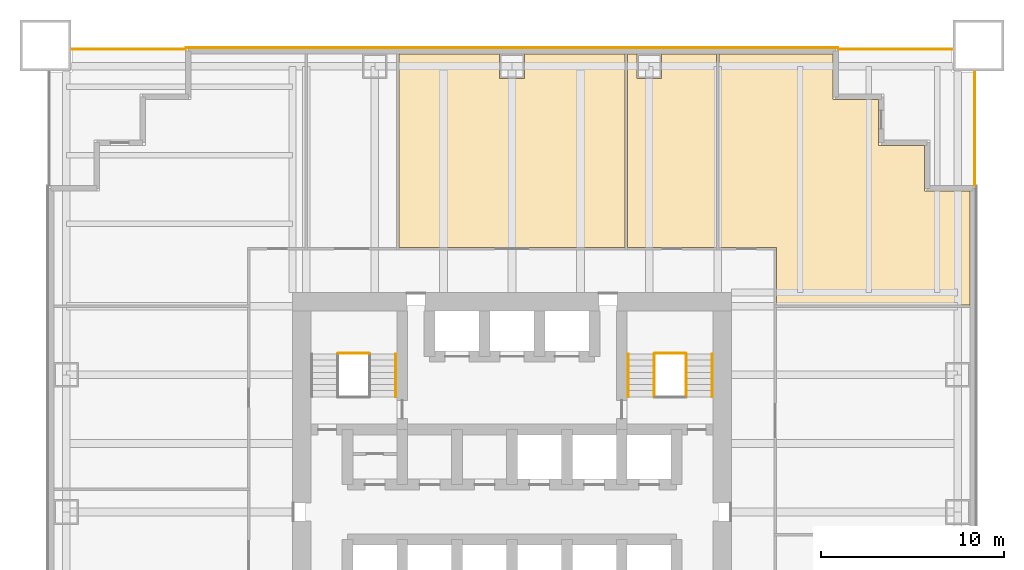
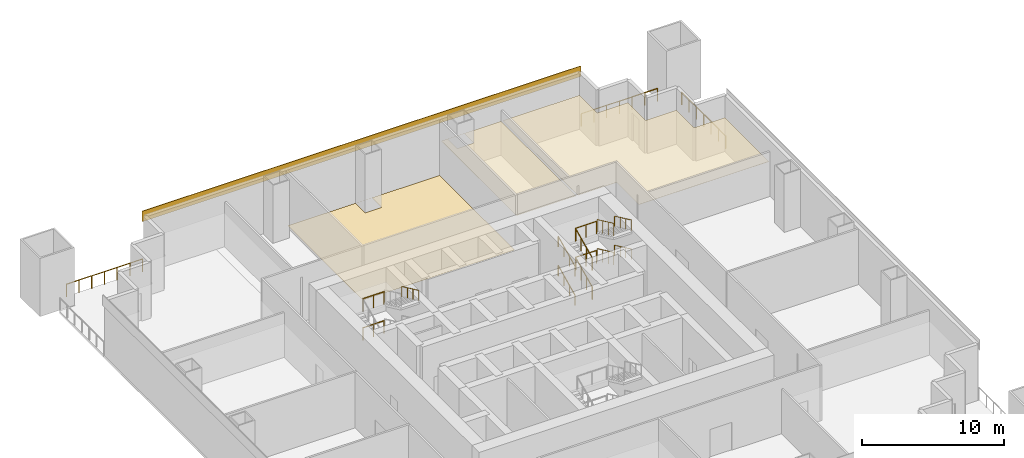
# One storey, part 6 of 6: 16 railings, 4 coverings.
"""IFC4 building model written with IfcOpenShell, lengths in metres."""

from ifc_helpers import new_model, si_unit, direction, frame, origin, origin_2d, place, context, subcontext, project, spatial, polyline, rectangle, circle, outline, extrude, material, layer, layer_set, type_object, element, save


model = new_model("IFC4")

# Units and contexts
model_context = context("Model", 3, precision=1e-05, world=origin(), true_north=direction((0.0, 1.0)))
body_context = subcontext(model_context, "Body", "Model", "MODEL_VIEW")
ifc_project = project(units=[si_unit("LENGTHUNIT", "METRE"), si_unit("AREAUNIT", "SQUARE_METRE"), si_unit("VOLUMEUNIT", "CUBIC_METRE"), si_unit("PLANEANGLEUNIT", "RADIAN"), si_unit("MASSUNIT", "GRAM", prefix="KILO")], contexts=[model_context])

# Site, building, storey
site_placement = place(None, origin())
site = spatial("IfcSite", under=ifc_project, at=site_placement, CompositionType="ELEMENT")
building_placement = place(site_placement, origin())
building = spatial("IfcBuilding", under=site, at=building_placement, Name="Tarangal Relay Tower", CompositionType="ELEMENT")
storey_placement = place(building_placement, frame((0.0, 0.0, 68.39990234375)))
storey = spatial("IfcBuildingStorey", under=building, at=storey_placement, Name="L13", CompositionType="ELEMENT", Elevation=68.39990234375)

# Coverings
ifc_material_1 = material(Name="Anti-static vinyl flooring", Category="plastic")
ifc_layer_1 = layer(ifc_material_1, 0.010009765625)
ifc_layer_set_1 = layer_set([ifc_layer_1], Name="Anti-static vinyl floor")
covering_type_1 = type_object("IfcCoveringType", Name="Anti-static vinyl floor", PredefinedType="FLOORING", material=ifc_layer_set_1)
covering_1_placement = place(storey_placement, origin())
element("IfcCovering", 1, at=covering_1_placement, inside=storey, type_object=covering_type_1, Name="Floor finish FL1 L13-03", PredefinedType="FLOORING", context=body_context, shape_type="SweptSolid", body=[
    extrude(outline(polyline([(6.175048828125, 25.050048828125), (-6.175048828125, 25.050048828125), (-6.175048828125, 14.47509765625), (6.175048828125, 14.47509765625), (6.175048828125, 25.050048828125)]), holes=[polyline([(0.675048828125, 25.0400390625), (-0.675048828125, 25.0400390625), (-0.675048828125, 23.68994140625), (0.675048828125, 23.68994140625), (0.675048828125, 25.0400390625)])]), origin(), (0.0, 0.0, 1.0), 0.010009765625),
])
ifc_material_2 = material(Name="Black anodised aluminium cladding", Category="aluminium")
ifc_layer_2 = layer(ifc_material_2, 0.050048828125)
ifc_layer_set_2 = layer_set([ifc_layer_2], Name="Black metal spandrel band")
covering_type_2 = type_object("IfcCoveringType", Name="Black metal spandrel band", PredefinedType="CLADDING", material=ifc_layer_set_2)
covering_2_placement = place(storey_placement, frame((0.0, 25.375, 4.250244140625), z_axis=(0.0, 0.0, 1.0), x_axis=(1.0, 0.0, 0.0)))
element("IfcCovering", 2, at=covering_2_placement, inside=storey, type_object=covering_type_2, Name="Spandrel band SB1 N L13", PredefinedType="CLADDING", context=body_context, shape_type="SweptSolid", body=[
    extrude(rectangle(XDim=35.699951171875, YDim=0.050048828125, at=origin_2d()), origin(), (0.0, 0.0, 1.0), 0.89990234375),
])

# Railings
ifc_material_3 = material(Name="Steel guard, black finish", Category="steel")
railing_type_1 = type_object("IfcRailingType", Name="Stair guard 1100", PredefinedType="GUARDRAIL", material=ifc_material_3)
for number, where, name in (
    (3, (-9.5, 8.675048828125, 1.25), "Stair ST-A landing guard GR1 L13"),
    (4, (-9.5, 8.675048828125, 3.75), "Stair ST-A landing guard GR1 L13"),
):
    element("IfcRailing", number, at=place(storey_placement, frame(where)), inside=storey, type_object=railing_type_1, Name=name, PredefinedType="GUARDRAIL", context=body_context, shape_type="SweptSolid", body=[
        extrude(circle(Radius=0.02392578125, at=origin_2d()), frame((0.0, 0.0, 1.076171875), z_axis=(1.0, 0.0, 0.0), x_axis=(0.0, 1.0, 0.0)), (0.0, 0.0, 1.0), 1.699951171875),
        extrude(circle(Radius=0.02099609375, at=origin_2d()), origin(), (0.0, 0.0, 1.0), 1.052001953125),
        extrude(circle(Radius=0.02099609375, at=origin_2d()), frame((0.85009765625, 0.0, 0.0)), (0.0, 0.0, 1.0), 1.052001953125),
        extrude(circle(Radius=0.02099609375, at=origin_2d()), frame((1.699951171875, 0.0, 0.0)), (0.0, 0.0, 1.0), 1.052001953125),
    ])
railing_1_placement = place(storey_placement, frame((7.77001953125, 6.300048828125, 0.156494140625)))
element("IfcRailing", 5, at=railing_1_placement, inside=storey, type_object=railing_type_1, Name="Stair ST-B guard GR1 L13 flight 1", PredefinedType="GUARDRAIL", context=body_context, shape_type="SweptSolid", body=[
    extrude(circle(Radius=0.02392578125, at=origin_2d()), frame((0.0, 0.0, 1.076171875), z_axis=(0.0, 0.906303632821, 0.42262717037), x_axis=(-1.0, 0.0, 0.0)), (0.0, 0.0, 1.0), 2.58740234375),
    extrude(circle(Radius=0.02099609375, at=origin_2d()), origin(), (0.0, 0.0, 1.0), 1.052001953125),
    extrude(circle(Radius=0.02099609375, at=origin_2d()), frame((0.0, 0.78173828125, 0.364501953125)), (0.0, 0.0, 1.0), 1.052001953125),
    extrude(circle(Radius=0.02099609375, at=origin_2d()), frame((0.0, 1.563232421875, 0.72900390625)), (0.0, 0.0, 1.0), 1.052001953125),
    extrude(circle(Radius=0.02099609375, at=origin_2d()), frame((0.0, 2.344970703125, 1.093505859375)), (0.0, 0.0, 1.0), 1.052001953125),
])
railing_2_placement = place(storey_placement, frame((9.530029296875, 8.64501953125, 1.406494140625)))
element("IfcRailing", 6, at=railing_2_placement, inside=storey, type_object=railing_type_1, Name="Stair ST-B guard GR1 L13 flight 2", PredefinedType="GUARDRAIL", context=body_context, shape_type="SweptSolid", body=[
    extrude(circle(Radius=0.02392578125, at=origin_2d()), frame((0.0, 0.0, 1.076171875), z_axis=(0.0, -0.906303632821, 0.42262717037), x_axis=(1.0, 0.0, 0.0)), (0.0, 0.0, 1.0), 2.58740234375),
    extrude(circle(Radius=0.02099609375, at=origin_2d()), origin(), (0.0, 0.0, 1.0), 1.052001953125),
    extrude(circle(Radius=0.02099609375, at=origin_2d()), frame((0.0, -0.78173828125, 0.364501953125)), (0.0, 0.0, 1.0), 1.052001953125),
    extrude(circle(Radius=0.02099609375, at=origin_2d()), frame((0.0, -1.563232421875, 0.72900390625)), (0.0, 0.0, 1.0), 1.052001953125),
    extrude(circle(Radius=0.02099609375, at=origin_2d()), frame((0.0, -2.344970703125, 1.093505859375)), (0.0, 0.0, 1.0), 1.052001953125),
])
railing_3_placement = place(storey_placement, frame((7.77001953125, 6.300048828125, 2.656494140625)))
element("IfcRailing", 7, at=railing_3_placement, inside=storey, type_object=railing_type_1, Name="Stair ST-B guard GR1 L13 flight 3", PredefinedType="GUARDRAIL", context=body_context, shape_type="SweptSolid", body=[
    extrude(circle(Radius=0.02392578125, at=origin_2d()), frame((0.0, 0.0, 1.076171875), z_axis=(0.0, 0.906303632821, 0.42262717037), x_axis=(-1.0, 0.0, 0.0)), (0.0, 0.0, 1.0), 2.58740234375),
    extrude(circle(Radius=0.02099609375, at=origin_2d()), origin(), (0.0, 0.0, 1.0), 1.052001953125),
    extrude(circle(Radius=0.02099609375, at=origin_2d()), frame((0.0, 0.78173828125, 0.364501953125)), (0.0, 0.0, 1.0), 1.052001953125),
    extrude(circle(Radius=0.02099609375, at=origin_2d()), frame((0.0, 1.563232421875, 0.72900390625)), (0.0, 0.0, 1.0), 1.052001953125),
    extrude(circle(Radius=0.02099609375, at=origin_2d()), frame((0.0, 2.344970703125, 1.093505859375)), (0.0, 0.0, 1.0), 1.052001953125),
])
railing_4_placement = place(storey_placement, frame((9.530029296875, 8.64501953125, 3.906494140625)))
element("IfcRailing", 8, at=railing_4_placement, inside=storey, type_object=railing_type_1, Name="Stair ST-B guard GR1 L13 flight 4", PredefinedType="GUARDRAIL", context=body_context, shape_type="SweptSolid", body=[
    extrude(circle(Radius=0.02392578125, at=origin_2d()), frame((0.0, 0.0, 1.076171875), z_axis=(0.0, -0.906303632821, 0.42262717037), x_axis=(1.0, 0.0, 0.0)), (0.0, 0.0, 1.0), 2.58740234375),
    extrude(circle(Radius=0.02099609375, at=origin_2d()), origin(), (0.0, 0.0, 1.0), 1.052001953125),
    extrude(circle(Radius=0.02099609375, at=origin_2d()), frame((0.0, -0.78173828125, 0.364501953125)), (0.0, 0.0, 1.0), 1.052001953125),
    extrude(circle(Radius=0.02099609375, at=origin_2d()), frame((0.0, -1.563232421875, 0.72900390625)), (0.0, 0.0, 1.0), 1.052001953125),
    extrude(circle(Radius=0.02099609375, at=origin_2d()), frame((0.0, -2.344970703125, 1.093505859375)), (0.0, 0.0, 1.0), 1.052001953125),
])
for number, where, name in (
    (9, (7.800048828125, 8.675048828125, 1.25), "Stair ST-B landing guard GR1 L13"),
    (10, (7.800048828125, 8.675048828125, 3.75), "Stair ST-B landing guard GR1 L13"),
):
    element("IfcRailing", number, at=place(storey_placement, frame(where)), inside=storey, type_object=railing_type_1, Name=name, PredefinedType="GUARDRAIL", context=body_context, shape_type="SweptSolid", body=[
        extrude(circle(Radius=0.02392578125, at=origin_2d()), frame((0.0, 0.0, 1.076171875), z_axis=(1.0, 0.0, 0.0), x_axis=(0.0, 1.0, 0.0)), (0.0, 0.0, 1.0), 1.699951171875),
        extrude(circle(Radius=0.02099609375, at=origin_2d()), origin(), (0.0, 0.0, 1.0), 1.052001953125),
        extrude(circle(Radius=0.02099609375, at=origin_2d()), frame((0.85009765625, 0.0, 0.0)), (0.0, 0.0, 1.0), 1.052001953125),
        extrude(circle(Radius=0.02099609375, at=origin_2d()), frame((1.699951171875, 0.0, 0.0)), (0.0, 0.0, 1.0), 1.052001953125),
    ])
ifc_material_4 = material(Name="Steel handrail, black finish", Category="steel")
railing_type_2 = type_object("IfcRailingType", Name="Stair handrail 900", PredefinedType="HANDRAIL", material=ifc_material_4)
railing_5_placement = place(storey_placement, frame((-6.360107421875, 8.64501953125, 3.906494140625)))
element("IfcRailing", 11, at=railing_5_placement, inside=storey, type_object=railing_type_2, Name="Stair ST-A handrail HR1 L13 flight 4", PredefinedType="HANDRAIL", context=body_context, shape_type="SweptSolid", body=[
    extrude(circle(Radius=0.02392578125, at=origin_2d()), frame((0.0, 0.0, 0.8759765625), z_axis=(0.0, -0.906303632821, 0.42262717037), x_axis=(1.0, 0.0, 0.0)), (0.0, 0.0, 1.0), 2.58740234375),
    extrude(circle(Radius=0.02099609375, at=origin_2d()), origin(), (0.0, 0.0, 1.0), 0.851806640625),
    extrude(circle(Radius=0.02099609375, at=origin_2d()), frame((0.0, -0.78173828125, 0.364501953125)), (0.0, 0.0, 1.0), 0.851806640625),
    extrude(circle(Radius=0.02099609375, at=origin_2d()), frame((0.0, -1.563232421875, 0.72900390625)), (0.0, 0.0, 1.0), 0.851806640625),
    extrude(circle(Radius=0.02099609375, at=origin_2d()), frame((0.0, -2.344970703125, 1.093505859375)), (0.0, 0.0, 1.0), 0.851806640625),
])
railing_6_placement = place(storey_placement, frame((6.360107421875, 6.300048828125, 0.156494140625)))
element("IfcRailing", 12, at=railing_6_placement, inside=storey, type_object=railing_type_2, Name="Stair ST-B handrail HR1 L13 flight 1", PredefinedType="HANDRAIL", context=body_context, shape_type="SweptSolid", body=[
    extrude(circle(Radius=0.02392578125, at=origin_2d()), frame((0.0, 0.0, 0.8759765625), z_axis=(0.0, 0.906303632821, 0.42262717037), x_axis=(-1.0, 0.0, 0.0)), (0.0, 0.0, 1.0), 2.58740234375),
    extrude(circle(Radius=0.02099609375, at=origin_2d()), origin(), (0.0, 0.0, 1.0), 0.851806640625),
    extrude(circle(Radius=0.02099609375, at=origin_2d()), frame((0.0, 0.78173828125, 0.364501953125)), (0.0, 0.0, 1.0), 0.851806640625),
    extrude(circle(Radius=0.02099609375, at=origin_2d()), frame((0.0, 1.563232421875, 0.72900390625)), (0.0, 0.0, 1.0), 0.851806640625),
    extrude(circle(Radius=0.02099609375, at=origin_2d()), frame((0.0, 2.344970703125, 1.093505859375)), (0.0, 0.0, 1.0), 0.851806640625),
])
railing_7_placement = place(storey_placement, frame((10.93994140625, 8.64501953125, 1.406494140625)))
element("IfcRailing", 13, at=railing_7_placement, inside=storey, type_object=railing_type_2, Name="Stair ST-B handrail HR1 L13 flight 2", PredefinedType="HANDRAIL", context=body_context, shape_type="SweptSolid", body=[
    extrude(circle(Radius=0.02392578125, at=origin_2d()), frame((0.0, 0.0, 0.8759765625), z_axis=(0.0, -0.906303632821, 0.42262717037), x_axis=(1.0, 0.0, 0.0)), (0.0, 0.0, 1.0), 2.58740234375),
    extrude(circle(Radius=0.02099609375, at=origin_2d()), origin(), (0.0, 0.0, 1.0), 0.851806640625),
    extrude(circle(Radius=0.02099609375, at=origin_2d()), frame((0.0, -0.78173828125, 0.364501953125)), (0.0, 0.0, 1.0), 0.851806640625),
    extrude(circle(Radius=0.02099609375, at=origin_2d()), frame((0.0, -1.563232421875, 0.72900390625)), (0.0, 0.0, 1.0), 0.851806640625),
    extrude(circle(Radius=0.02099609375, at=origin_2d()), frame((0.0, -2.344970703125, 1.093505859375)), (0.0, 0.0, 1.0), 0.851806640625),
])
railing_8_placement = place(storey_placement, frame((6.360107421875, 6.300048828125, 2.656494140625)))
element("IfcRailing", 14, at=railing_8_placement, inside=storey, type_object=railing_type_2, Name="Stair ST-B handrail HR1 L13 flight 3", PredefinedType="HANDRAIL", context=body_context, shape_type="SweptSolid", body=[
    extrude(circle(Radius=0.02392578125, at=origin_2d()), frame((0.0, 0.0, 0.8759765625), z_axis=(0.0, 0.906303632821, 0.42262717037), x_axis=(-1.0, 0.0, 0.0)), (0.0, 0.0, 1.0), 2.58740234375),
    extrude(circle(Radius=0.02099609375, at=origin_2d()), origin(), (0.0, 0.0, 1.0), 0.851806640625),
    extrude(circle(Radius=0.02099609375, at=origin_2d()), frame((0.0, 0.78173828125, 0.364501953125)), (0.0, 0.0, 1.0), 0.851806640625),
    extrude(circle(Radius=0.02099609375, at=origin_2d()), frame((0.0, 1.563232421875, 0.72900390625)), (0.0, 0.0, 1.0), 0.851806640625),
    extrude(circle(Radius=0.02099609375, at=origin_2d()), frame((0.0, 2.344970703125, 1.093505859375)), (0.0, 0.0, 1.0), 0.851806640625),
])
railing_9_placement = place(storey_placement, frame((10.93994140625, 8.64501953125, 3.906494140625)))
element("IfcRailing", 15, at=railing_9_placement, inside=storey, type_object=railing_type_2, Name="Stair ST-B handrail HR1 L13 flight 4", PredefinedType="HANDRAIL", context=body_context, shape_type="SweptSolid", body=[
    extrude(circle(Radius=0.02392578125, at=origin_2d()), frame((0.0, 0.0, 0.8759765625), z_axis=(0.0, -0.906303632821, 0.42262717037), x_axis=(1.0, 0.0, 0.0)), (0.0, 0.0, 1.0), 2.58740234375),
    extrude(circle(Radius=0.02099609375, at=origin_2d()), origin(), (0.0, 0.0, 1.0), 0.851806640625),
    extrude(circle(Radius=0.02099609375, at=origin_2d()), frame((0.0, -0.78173828125, 0.364501953125)), (0.0, 0.0, 1.0), 0.851806640625),
    extrude(circle(Radius=0.02099609375, at=origin_2d()), frame((0.0, -1.563232421875, 0.72900390625)), (0.0, 0.0, 1.0), 0.851806640625),
    extrude(circle(Radius=0.02099609375, at=origin_2d()), frame((0.0, -2.344970703125, 1.093505859375)), (0.0, 0.0, 1.0), 0.851806640625),
])

# Coverings
ifc_material_5 = material(Name="Mineral fibre ceiling tiles", Category="gypsum")
ifc_layer_3 = layer(ifc_material_5, 0.02001953125)
ifc_layer_set_3 = layer_set([ifc_layer_3], Name="Suspended ceiling")
covering_type_3 = type_object("IfcCoveringType", Name="Suspended ceiling", PredefinedType="CEILING", material=ifc_layer_set_3)
covering_3_placement = place(storey_placement, frame((0.0, 0.0, 2.900146484375)))
element("IfcCovering", 16, at=covering_3_placement, inside=storey, type_object=covering_type_3, Name="Suspended ceiling CL1 L13-04", PredefinedType="CEILING", context=body_context, shape_type="SweptSolid", body=[
    extrude(outline(polyline([(11.175048828125, 25.050048828125), (6.324951171875, 25.050048828125), (6.324951171875, 14.47509765625), (11.175048828125, 14.47509765625), (11.175048828125, 25.050048828125)]), holes=[polyline([(8.175048828125, 25.0400390625), (6.824951171875, 25.0400390625), (6.824951171875, 23.68994140625), (8.175048828125, 23.68994140625), (8.175048828125, 25.0400390625)])]), origin(), (0.0, 0.0, 1.0), 0.02001953125),
])
covering_4_placement = place(storey_placement, frame((0.0, 0.0, 2.900146484375)))
element("IfcCovering", 17, at=covering_4_placement, inside=storey, type_object=covering_type_3, Name="Suspended ceiling CL1 L13-12", PredefinedType="CEILING", context=body_context, shape_type="SweptSolid", body=[
    extrude(outline(polyline([(17.550048828125, 25.050048828125), (11.324951171875, 25.050048828125), (11.324951171875, 14.47509765625), (14.47509765625, 14.47509765625), (14.47509765625, 11.324951171875), (25.050048828125, 11.324951171875), (25.050048828125, 17.550048828125), (22.550048828125, 17.550048828125), (22.550048828125, 20.050048828125), (20.050048828125, 20.050048828125), (20.050048828125, 22.550048828125), (17.550048828125, 22.550048828125), (17.550048828125, 25.050048828125)])), origin(), (0.0, 0.0, 1.0), 0.02001953125),
])

# Railings
ifc_material_6 = material(Name="Black steel guard with glass infill", Category="steel")
railing_type_3 = type_object("IfcRailingType", Name="Terrace guard 1100", PredefinedType="GUARDRAIL", material=ifc_material_6)
railing_10_placement = place(storey_placement, frame((17.85009765625, 25.300048828125, 0.0)))
element("IfcRailing", 18, at=railing_10_placement, inside=storey, type_object=railing_type_3, Name="Terrace guard GR2 NE L13", PredefinedType="GUARDRAIL", context=body_context, shape_type="SweptSolid", body=[
    extrude(circle(Radius=0.02392578125, at=origin_2d()), frame((0.0, 0.0, 1.076171875), z_axis=(1.0, 0.0, 0.0), x_axis=(0.0, 1.0, 0.0)), (0.0, 0.0, 1.0), 6.199951171875),
    extrude(circle(Radius=0.02099609375, at=origin_2d()), origin(), (0.0, 0.0, 1.0), 1.052001953125),
    extrude(circle(Radius=0.02099609375, at=origin_2d()), frame((1.033203125, 0.0, 0.0)), (0.0, 0.0, 1.0), 1.052001953125),
    extrude(circle(Radius=0.02099609375, at=origin_2d()), frame((2.066650390625, 0.0, 0.0)), (0.0, 0.0, 1.0), 1.052001953125),
    extrude(circle(Radius=0.02099609375, at=origin_2d()), frame((3.10009765625, 0.0, 0.0)), (0.0, 0.0, 1.0), 1.052001953125),
    extrude(circle(Radius=0.02099609375, at=origin_2d()), frame((4.13330078125, 0.0, 0.0)), (0.0, 0.0, 1.0), 1.052001953125),
    extrude(circle(Radius=0.02099609375, at=origin_2d()), frame((5.16650390625, 0.0, 0.0)), (0.0, 0.0, 1.0), 1.052001953125),
    extrude(circle(Radius=0.02099609375, at=origin_2d()), frame((6.199951171875, 0.0, 0.0)), (0.0, 0.0, 1.0), 1.052001953125),
])
railing_11_placement = place(storey_placement, frame((25.300048828125, 24.050048828125, 0.0)))
element("IfcRailing", 19, at=railing_11_placement, inside=storey, type_object=railing_type_3, Name="Terrace guard GR2 NE L13", PredefinedType="GUARDRAIL", context=body_context, shape_type="SweptSolid", body=[
    extrude(circle(Radius=0.02392578125, at=origin_2d()), frame((0.0, 0.0, 1.076171875), z_axis=(0.0, -1.0, 0.0), x_axis=(1.0, 0.0, 0.0)), (0.0, 0.0, 1.0), 6.199951171875),
    extrude(circle(Radius=0.02099609375, at=origin_2d()), origin(), (0.0, 0.0, 1.0), 1.052001953125),
    extrude(circle(Radius=0.02099609375, at=origin_2d()), frame((0.0, -1.033203125, 0.0)), (0.0, 0.0, 1.0), 1.052001953125),
    extrude(circle(Radius=0.02099609375, at=origin_2d()), frame((0.0, -2.066650390625, 0.0)), (0.0, 0.0, 1.0), 1.052001953125),
    extrude(circle(Radius=0.02099609375, at=origin_2d()), frame((0.0, -3.10009765625, 0.0)), (0.0, 0.0, 1.0), 1.052001953125),
    extrude(circle(Radius=0.02099609375, at=origin_2d()), frame((0.0, -4.13330078125, 0.0)), (0.0, 0.0, 1.0), 1.052001953125),
    extrude(circle(Radius=0.02099609375, at=origin_2d()), frame((0.0, -5.16650390625, 0.0)), (0.0, 0.0, 1.0), 1.052001953125),
    extrude(circle(Radius=0.02099609375, at=origin_2d()), frame((0.0, -6.199951171875, 0.0)), (0.0, 0.0, 1.0), 1.052001953125),
])
railing_12_placement = place(storey_placement, frame((-24.050048828125, 25.300048828125, 0.0)))
element("IfcRailing", 20, at=railing_12_placement, inside=storey, type_object=railing_type_3, Name="Terrace guard GR2 NW L13", PredefinedType="GUARDRAIL", context=body_context, shape_type="SweptSolid", body=[
    extrude(circle(Radius=0.02392578125, at=origin_2d()), frame((0.0, 0.0, 1.076171875), z_axis=(1.0, 0.0, 0.0), x_axis=(0.0, 1.0, 0.0)), (0.0, 0.0, 1.0), 6.199951171875),
    extrude(circle(Radius=0.02099609375, at=origin_2d()), origin(), (0.0, 0.0, 1.0), 1.052001953125),
    extrude(circle(Radius=0.02099609375, at=origin_2d()), frame((1.033203125, 0.0, 0.0)), (0.0, 0.0, 1.0), 1.052001953125),
    extrude(circle(Radius=0.02099609375, at=origin_2d()), frame((2.066650390625, 0.0, 0.0)), (0.0, 0.0, 1.0), 1.052001953125),
    extrude(circle(Radius=0.02099609375, at=origin_2d()), frame((3.10009765625, 0.0, 0.0)), (0.0, 0.0, 1.0), 1.052001953125),
    extrude(circle(Radius=0.02099609375, at=origin_2d()), frame((4.13330078125, 0.0, 0.0)), (0.0, 0.0, 1.0), 1.052001953125),
    extrude(circle(Radius=0.02099609375, at=origin_2d()), frame((5.16650390625, 0.0, 0.0)), (0.0, 0.0, 1.0), 1.052001953125),
    extrude(circle(Radius=0.02099609375, at=origin_2d()), frame((6.199951171875, 0.0, 0.0)), (0.0, 0.0, 1.0), 1.052001953125),
])

save(model, "model.ifc")
